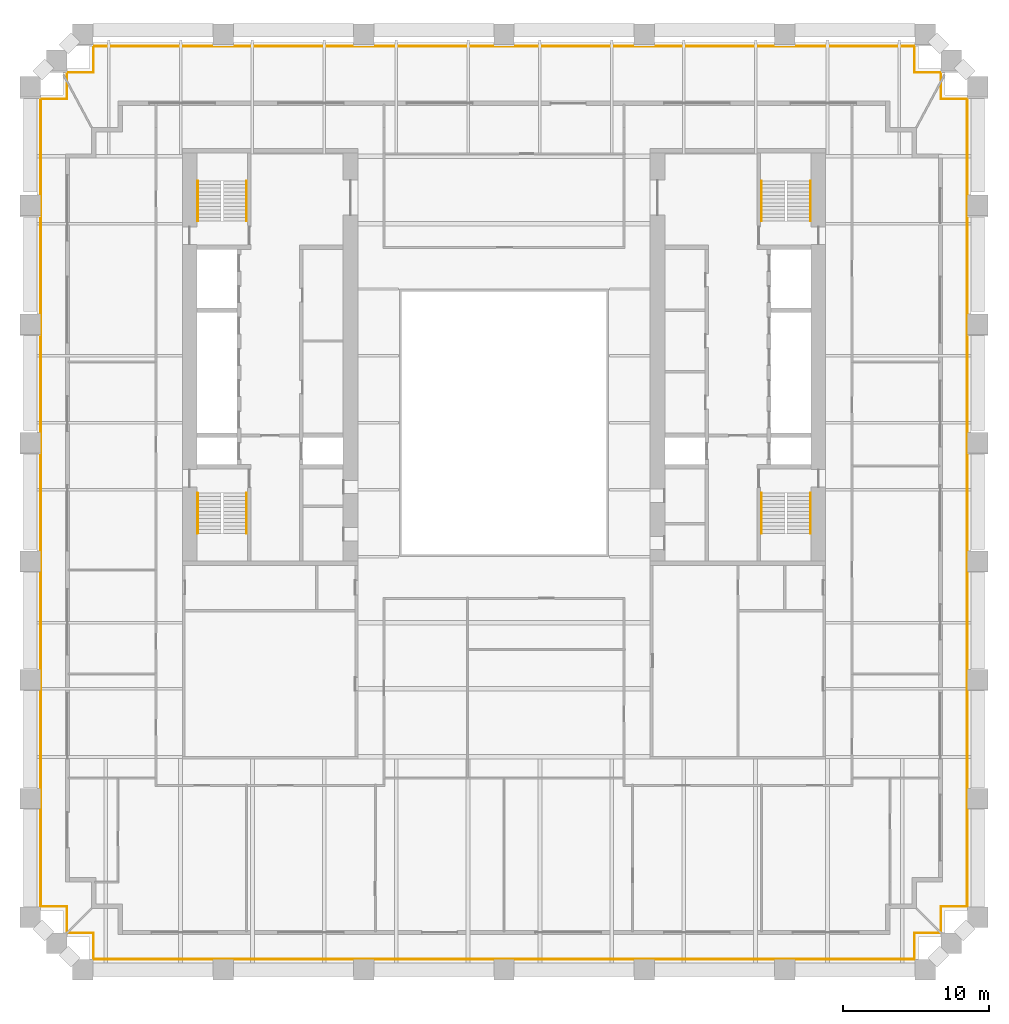
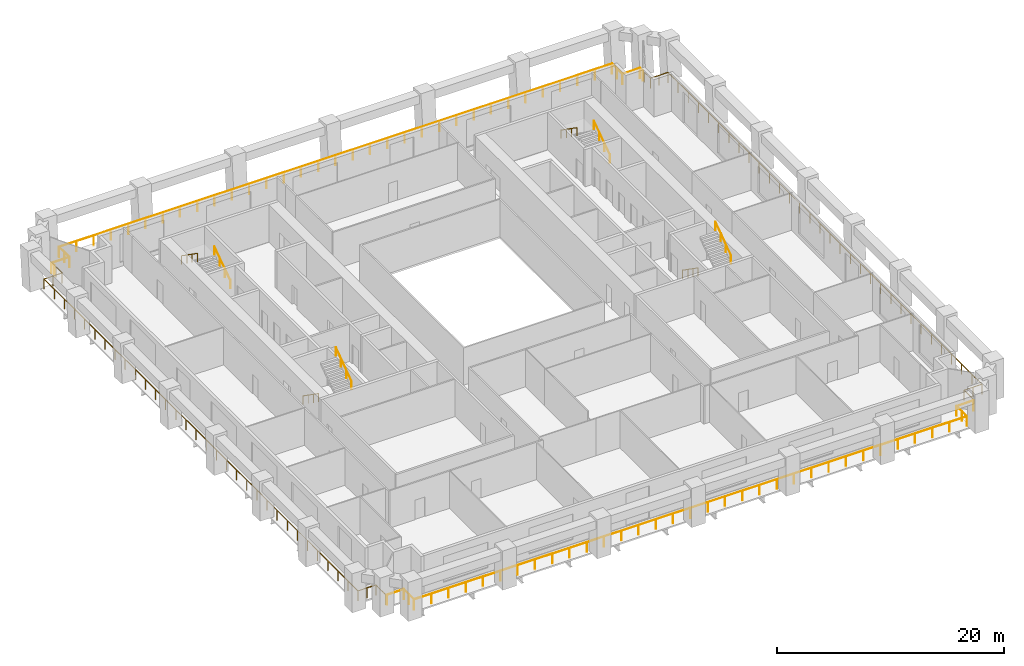
# One storey, part 9 of 9: 12 railings.
"""IFC4 building model written with IfcOpenShell, lengths in metres."""

from ifc_helpers import new_model, si_unit, direction, frame, origin, origin_2d, place, context, subcontext, project, spatial, circle, extrude, material, type_object, element, save


model = new_model("IFC4")

# Units and contexts
model_context = context("Model", 3, precision=1e-05, world=origin(), true_north=direction((0.0, 1.0)))
body_context = subcontext(model_context, "Body", "Model", "MODEL_VIEW")
ifc_project = project(units=[si_unit("LENGTHUNIT", "METRE"), si_unit("AREAUNIT", "SQUARE_METRE"), si_unit("VOLUMEUNIT", "CUBIC_METRE"), si_unit("PLANEANGLEUNIT", "RADIAN"), si_unit("MASSUNIT", "GRAM", prefix="KILO")], contexts=[model_context])

# Site, building, storey
site_placement = place(None, origin())
site = spatial("IfcSite", under=ifc_project, at=site_placement, CompositionType="ELEMENT")
building_placement = place(site_placement, origin())
building = spatial("IfcBuilding", under=site, at=building_placement, Name="Ogive Exchange Tower", CompositionType="ELEMENT")
storey_placement = place(building_placement, frame((0.0, 0.0, 56.39990234375)))
storey = spatial("IfcBuildingStorey", under=building, at=storey_placement, Name="L11", CompositionType="ELEMENT", Elevation=56.39990234375)

# Railings
ifc_material_1 = material(Name="Stainless steel 316", Category="steel")
railing_type_1 = type_object("IfcRailingType", Name="Guard 1100 stainless steel and glass", PredefinedType="GUARDRAIL", material=ifc_material_1)
railing_1_placement = place(storey_placement, frame((29.7880859375, -27.8798828125, -0.0498046875)))
element("IfcRailing", 1, at=railing_1_placement, inside=storey, type_object=railing_type_1, Name="Loggia guard 1", PredefinedType="GUARDRAIL", context=body_context, shape_type="SweptSolid", body=[
    extrude(circle(Radius=0.02392578125, at=origin_2d()), frame((0.0, 0.0, 1.076171875), z_axis=(-1.0, 0.0, 0.0), x_axis=(0.0, -1.0, 0.0)), (0.0, 0.0, 1.0), 1.7080078125),
    extrude(circle(Radius=0.02392578125, at=origin_2d()), frame((-1.7080078125, 0.0, 1.076171875), z_axis=(0.0, -1.0, 0.0), x_axis=(1.0, 0.0, 0.0)), (0.0, 0.0, 1.0), 1.800048828125),
    extrude(circle(Radius=0.02392578125, at=origin_2d()), frame((-1.7080078125, -1.800048828125, 1.076171875), z_axis=(-1.0, 0.0, 0.0), x_axis=(0.0, -1.0, 0.0)), (0.0, 0.0, 1.0), 56.16015625),
    extrude(circle(Radius=0.02392578125, at=origin_2d()), frame((-57.8681640625, -1.800048828125, 1.076171875), z_axis=(0.0, 1.0, 0.0), x_axis=(-1.0, 0.0, 0.0)), (0.0, 0.0, 1.0), 1.800048828125),
    extrude(circle(Radius=0.02392578125, at=origin_2d()), frame((-57.8681640625, 0.0, 1.076171875), z_axis=(-1.0, 0.0, 0.0), x_axis=(0.0, -1.0, 0.0)), (0.0, 0.0, 1.0), 1.7080078125),
    extrude(circle(Radius=0.02099609375, at=origin_2d()), origin(), (0.0, 0.0, 1.0), 1.052001953125),
    extrude(circle(Radius=0.02099609375, at=origin_2d()), frame((-1.7080078125, 0.0, 0.0)), (0.0, 0.0, 1.0), 1.052001953125),
    extrude(circle(Radius=0.02099609375, at=origin_2d()), frame((-1.7080078125, -0.89990234375, 0.0)), (0.0, 0.0, 1.0), 1.052001953125),
    extrude(circle(Radius=0.02099609375, at=origin_2d()), frame((-1.7080078125, -1.800048828125, 0.0)), (0.0, 0.0, 1.0), 1.052001953125),
    extrude(circle(Radius=0.02099609375, at=origin_2d()), frame((-3.462890625, -1.800048828125, 0.0)), (0.0, 0.0, 1.0), 1.052001953125),
    extrude(circle(Radius=0.02099609375, at=origin_2d()), frame((-5.218017578125, -1.800048828125, 0.0)), (0.0, 0.0, 1.0), 1.052001953125),
    extrude(circle(Radius=0.02099609375, at=origin_2d()), frame((-6.97314453125, -1.800048828125, 0.0)), (0.0, 0.0, 1.0), 1.052001953125),
    extrude(circle(Radius=0.02099609375, at=origin_2d()), frame((-8.72802734375, -1.800048828125, 0.0)), (0.0, 0.0, 1.0), 1.052001953125),
    extrude(circle(Radius=0.02099609375, at=origin_2d()), frame((-10.48291015625, -1.800048828125, 0.0)), (0.0, 0.0, 1.0), 1.052001953125),
    extrude(circle(Radius=0.02099609375, at=origin_2d()), frame((-12.238037109375, -1.800048828125, 0.0)), (0.0, 0.0, 1.0), 1.052001953125),
    extrude(circle(Radius=0.02099609375, at=origin_2d()), frame((-13.9931640625, -1.800048828125, 0.0)), (0.0, 0.0, 1.0), 1.052001953125),
    extrude(circle(Radius=0.02099609375, at=origin_2d()), frame((-15.748046875, -1.800048828125, 0.0)), (0.0, 0.0, 1.0), 1.052001953125),
    extrude(circle(Radius=0.02099609375, at=origin_2d()), frame((-17.5029296875, -1.800048828125, 0.0)), (0.0, 0.0, 1.0), 1.052001953125),
    extrude(circle(Radius=0.02099609375, at=origin_2d()), frame((-19.258056640625, -1.800048828125, 0.0)), (0.0, 0.0, 1.0), 1.052001953125),
    extrude(circle(Radius=0.02099609375, at=origin_2d()), frame((-21.01318359375, -1.800048828125, 0.0)), (0.0, 0.0, 1.0), 1.052001953125),
    extrude(circle(Radius=0.02099609375, at=origin_2d()), frame((-22.76806640625, -1.800048828125, 0.0)), (0.0, 0.0, 1.0), 1.052001953125),
    extrude(circle(Radius=0.02099609375, at=origin_2d()), frame((-24.52294921875, -1.800048828125, 0.0)), (0.0, 0.0, 1.0), 1.052001953125),
    extrude(circle(Radius=0.02099609375, at=origin_2d()), frame((-26.278076171875, -1.800048828125, 0.0)), (0.0, 0.0, 1.0), 1.052001953125),
    extrude(circle(Radius=0.02099609375, at=origin_2d()), frame((-28.033203125, -1.800048828125, 0.0)), (0.0, 0.0, 1.0), 1.052001953125),
    extrude(circle(Radius=0.02099609375, at=origin_2d()), frame((-29.7880859375, -1.800048828125, 0.0)), (0.0, 0.0, 1.0), 1.052001953125),
    extrude(circle(Radius=0.02099609375, at=origin_2d()), frame((-31.54296875, -1.800048828125, 0.0)), (0.0, 0.0, 1.0), 1.052001953125),
    extrude(circle(Radius=0.02099609375, at=origin_2d()), frame((-33.298095703125, -1.800048828125, 0.0)), (0.0, 0.0, 1.0), 1.052001953125),
    extrude(circle(Radius=0.02099609375, at=origin_2d()), frame((-35.05322265625, -1.800048828125, 0.0)), (0.0, 0.0, 1.0), 1.052001953125),
    extrude(circle(Radius=0.02099609375, at=origin_2d()), frame((-36.80810546875, -1.800048828125, 0.0)), (0.0, 0.0, 1.0), 1.052001953125),
    extrude(circle(Radius=0.02099609375, at=origin_2d()), frame((-38.56298828125, -1.800048828125, 0.0)), (0.0, 0.0, 1.0), 1.052001953125),
    extrude(circle(Radius=0.02099609375, at=origin_2d()), frame((-40.318115234375, -1.800048828125, 0.0)), (0.0, 0.0, 1.0), 1.052001953125),
    extrude(circle(Radius=0.02099609375, at=origin_2d()), frame((-42.0732421875, -1.800048828125, 0.0)), (0.0, 0.0, 1.0), 1.052001953125),
    extrude(circle(Radius=0.02099609375, at=origin_2d()), frame((-43.828125, -1.800048828125, 0.0)), (0.0, 0.0, 1.0), 1.052001953125),
    extrude(circle(Radius=0.02099609375, at=origin_2d()), frame((-45.5830078125, -1.800048828125, 0.0)), (0.0, 0.0, 1.0), 1.052001953125),
    extrude(circle(Radius=0.02099609375, at=origin_2d()), frame((-47.338134765625, -1.800048828125, 0.0)), (0.0, 0.0, 1.0), 1.052001953125),
    extrude(circle(Radius=0.02099609375, at=origin_2d()), frame((-49.09326171875, -1.800048828125, 0.0)), (0.0, 0.0, 1.0), 1.052001953125),
    extrude(circle(Radius=0.02099609375, at=origin_2d()), frame((-50.84814453125, -1.800048828125, 0.0)), (0.0, 0.0, 1.0), 1.052001953125),
    extrude(circle(Radius=0.02099609375, at=origin_2d()), frame((-52.60302734375, -1.800048828125, 0.0)), (0.0, 0.0, 1.0), 1.052001953125),
    extrude(circle(Radius=0.02099609375, at=origin_2d()), frame((-54.358154296875, -1.800048828125, 0.0)), (0.0, 0.0, 1.0), 1.052001953125),
    extrude(circle(Radius=0.02099609375, at=origin_2d()), frame((-56.11328125, -1.800048828125, 0.0)), (0.0, 0.0, 1.0), 1.052001953125),
    extrude(circle(Radius=0.02099609375, at=origin_2d()), frame((-57.8681640625, -1.800048828125, 0.0)), (0.0, 0.0, 1.0), 1.052001953125),
    extrude(circle(Radius=0.02099609375, at=origin_2d()), frame((-57.8681640625, -0.89990234375, 0.0)), (0.0, 0.0, 1.0), 1.052001953125),
    extrude(circle(Radius=0.02099609375, at=origin_2d()), frame((-57.8681640625, 0.0, 0.0)), (0.0, 0.0, 1.0), 1.052001953125),
    extrude(circle(Radius=0.02099609375, at=origin_2d()), frame((-59.576171875, 0.0, 0.0)), (0.0, 0.0, 1.0), 1.052001953125),
])
railing_2_placement = place(storey_placement, frame((-29.8798828125, -27.7880859375, -0.0498046875)))
element("IfcRailing", 2, at=railing_2_placement, inside=storey, type_object=railing_type_1, Name="Loggia guard 2", PredefinedType="GUARDRAIL", context=body_context, shape_type="SweptSolid", body=[
    extrude(circle(Radius=0.02392578125, at=origin_2d()), frame((0.0, 0.0, 1.076171875), z_axis=(0.0, 1.0, 0.0), x_axis=(-1.0, 0.0, 0.0)), (0.0, 0.0, 1.0), 1.7080078125),
    extrude(circle(Radius=0.02392578125, at=origin_2d()), frame((0.0, 1.7080078125, 1.076171875), z_axis=(-1.0, 0.0, 0.0), x_axis=(0.0, -1.0, 0.0)), (0.0, 0.0, 1.0), 1.800048828125),
    extrude(circle(Radius=0.02392578125, at=origin_2d()), frame((-1.800048828125, 1.7080078125, 1.076171875), z_axis=(0.0, 1.0, 0.0), x_axis=(-1.0, 0.0, 0.0)), (0.0, 0.0, 1.0), 55.232666015625),
    extrude(circle(Radius=0.02392578125, at=origin_2d()), frame((-1.800048828125, 56.940673828125, 1.076171875), z_axis=(1.0, 0.0, 0.0), x_axis=(0.0, 1.0, 0.0)), (0.0, 0.0, 1.0), 1.800048828125),
    extrude(circle(Radius=0.02392578125, at=origin_2d()), frame((0.0, 56.940673828125, 1.076171875), z_axis=(0.0, 1.0, 0.0), x_axis=(-1.0, 0.0, 0.0)), (0.0, 0.0, 1.0), 1.040771484375),
    extrude(circle(Radius=0.02099609375, at=origin_2d()), origin(), (0.0, 0.0, 1.0), 1.052001953125),
    extrude(circle(Radius=0.02099609375, at=origin_2d()), frame((0.0, 1.7080078125, 0.0)), (0.0, 0.0, 1.0), 1.052001953125),
    extrude(circle(Radius=0.02099609375, at=origin_2d()), frame((-0.89990234375, 1.7080078125, 0.0)), (0.0, 0.0, 1.0), 1.052001953125),
    extrude(circle(Radius=0.02099609375, at=origin_2d()), frame((-1.800048828125, 1.7080078125, 0.0)), (0.0, 0.0, 1.0), 1.052001953125),
    extrude(circle(Radius=0.02099609375, at=origin_2d()), frame((-1.800048828125, 3.48974609375, 0.0)), (0.0, 0.0, 1.0), 1.052001953125),
    extrude(circle(Radius=0.02099609375, at=origin_2d()), frame((-1.800048828125, 5.271484375, 0.0)), (0.0, 0.0, 1.0), 1.052001953125),
    extrude(circle(Radius=0.02099609375, at=origin_2d()), frame((-1.800048828125, 7.05322265625, 0.0)), (0.0, 0.0, 1.0), 1.052001953125),
    extrude(circle(Radius=0.02099609375, at=origin_2d()), frame((-1.800048828125, 8.834716796875, 0.0)), (0.0, 0.0, 1.0), 1.052001953125),
    extrude(circle(Radius=0.02099609375, at=origin_2d()), frame((-1.800048828125, 10.616455078125, 0.0)), (0.0, 0.0, 1.0), 1.052001953125),
    extrude(circle(Radius=0.02099609375, at=origin_2d()), frame((-1.800048828125, 12.398193359375, 0.0)), (0.0, 0.0, 1.0), 1.052001953125),
    extrude(circle(Radius=0.02099609375, at=origin_2d()), frame((-1.800048828125, 14.179931640625, 0.0)), (0.0, 0.0, 1.0), 1.052001953125),
    extrude(circle(Radius=0.02099609375, at=origin_2d()), frame((-1.800048828125, 15.961669921875, 0.0)), (0.0, 0.0, 1.0), 1.052001953125),
    extrude(circle(Radius=0.02099609375, at=origin_2d()), frame((-1.800048828125, 17.743408203125, 0.0)), (0.0, 0.0, 1.0), 1.052001953125),
    extrude(circle(Radius=0.02099609375, at=origin_2d()), frame((-1.800048828125, 19.52490234375, 0.0)), (0.0, 0.0, 1.0), 1.052001953125),
    extrude(circle(Radius=0.02099609375, at=origin_2d()), frame((-1.800048828125, 21.306640625, 0.0)), (0.0, 0.0, 1.0), 1.052001953125),
    extrude(circle(Radius=0.02099609375, at=origin_2d()), frame((-1.800048828125, 23.08837890625, 0.0)), (0.0, 0.0, 1.0), 1.052001953125),
    extrude(circle(Radius=0.02099609375, at=origin_2d()), frame((-1.800048828125, 24.8701171875, 0.0)), (0.0, 0.0, 1.0), 1.052001953125),
    extrude(circle(Radius=0.02099609375, at=origin_2d()), frame((-1.800048828125, 26.65185546875, 0.0)), (0.0, 0.0, 1.0), 1.052001953125),
    extrude(circle(Radius=0.02099609375, at=origin_2d()), frame((-1.800048828125, 28.43359375, 0.0)), (0.0, 0.0, 1.0), 1.052001953125),
    extrude(circle(Radius=0.02099609375, at=origin_2d()), frame((-1.800048828125, 30.215087890625, 0.0)), (0.0, 0.0, 1.0), 1.052001953125),
    extrude(circle(Radius=0.02099609375, at=origin_2d()), frame((-1.800048828125, 31.996826171875, 0.0)), (0.0, 0.0, 1.0), 1.052001953125),
    extrude(circle(Radius=0.02099609375, at=origin_2d()), frame((-1.800048828125, 33.778564453125, 0.0)), (0.0, 0.0, 1.0), 1.052001953125),
    extrude(circle(Radius=0.02099609375, at=origin_2d()), frame((-1.800048828125, 35.560302734375, 0.0)), (0.0, 0.0, 1.0), 1.052001953125),
    extrude(circle(Radius=0.02099609375, at=origin_2d()), frame((-1.800048828125, 37.342041015625, 0.0)), (0.0, 0.0, 1.0), 1.052001953125),
    extrude(circle(Radius=0.02099609375, at=origin_2d()), frame((-1.800048828125, 39.123779296875, 0.0)), (0.0, 0.0, 1.0), 1.052001953125),
    extrude(circle(Radius=0.02099609375, at=origin_2d()), frame((-1.800048828125, 40.9052734375, 0.0)), (0.0, 0.0, 1.0), 1.052001953125),
    extrude(circle(Radius=0.02099609375, at=origin_2d()), frame((-1.800048828125, 42.68701171875, 0.0)), (0.0, 0.0, 1.0), 1.052001953125),
    extrude(circle(Radius=0.02099609375, at=origin_2d()), frame((-1.800048828125, 44.46875, 0.0)), (0.0, 0.0, 1.0), 1.052001953125),
    extrude(circle(Radius=0.02099609375, at=origin_2d()), frame((-1.800048828125, 46.25048828125, 0.0)), (0.0, 0.0, 1.0), 1.052001953125),
    extrude(circle(Radius=0.02099609375, at=origin_2d()), frame((-1.800048828125, 48.0322265625, 0.0)), (0.0, 0.0, 1.0), 1.052001953125),
    extrude(circle(Radius=0.02099609375, at=origin_2d()), frame((-1.800048828125, 49.81396484375, 0.0)), (0.0, 0.0, 1.0), 1.052001953125),
    extrude(circle(Radius=0.02099609375, at=origin_2d()), frame((-1.800048828125, 51.595458984375, 0.0)), (0.0, 0.0, 1.0), 1.052001953125),
    extrude(circle(Radius=0.02099609375, at=origin_2d()), frame((-1.800048828125, 53.377197265625, 0.0)), (0.0, 0.0, 1.0), 1.052001953125),
    extrude(circle(Radius=0.02099609375, at=origin_2d()), frame((-1.800048828125, 55.158935546875, 0.0)), (0.0, 0.0, 1.0), 1.052001953125),
    extrude(circle(Radius=0.02099609375, at=origin_2d()), frame((-1.800048828125, 56.940673828125, 0.0)), (0.0, 0.0, 1.0), 1.052001953125),
    extrude(circle(Radius=0.02099609375, at=origin_2d()), frame((-0.89990234375, 56.940673828125, 0.0)), (0.0, 0.0, 1.0), 1.052001953125),
    extrude(circle(Radius=0.02099609375, at=origin_2d()), frame((0.0, 56.940673828125, 0.0)), (0.0, 0.0, 1.0), 1.052001953125),
    extrude(circle(Radius=0.02099609375, at=origin_2d()), frame((0.0, 57.9814453125, 0.0)), (0.0, 0.0, 1.0), 1.052001953125),
])
railing_3_placement = place(storey_placement, frame((-29.8798828125, 30.468505859375, -0.0498046875)))
element("IfcRailing", 3, at=railing_3_placement, inside=storey, type_object=railing_type_1, Name="Loggia guard 3", PredefinedType="GUARDRAIL", context=body_context, shape_type="SweptSolid", body=[
    extrude(circle(Radius=0.02392578125, at=origin_2d()), frame((0.0, 0.0, 1.076171875), z_axis=(0.0, 1.0, 0.0), x_axis=(-1.0, 0.0, 0.0)), (0.0, 0.0, 1.0), 0.484130859375),
    extrude(circle(Radius=0.02392578125, at=origin_2d()), frame((0.0, 0.484130859375, 1.076171875), z_axis=(1.0, 0.0, 0.0), x_axis=(0.0, 1.0, 0.0)), (0.0, 0.0, 1.0), 1.7998046875),
    extrude(circle(Radius=0.02392578125, at=origin_2d()), frame((1.7998046875, 0.484130859375, 1.076171875), z_axis=(0.0, 1.0, 0.0), x_axis=(-1.0, 0.0, 0.0)), (0.0, 0.0, 1.0), 1.800048828125),
    extrude(circle(Radius=0.02392578125, at=origin_2d()), frame((1.7998046875, 2.2841796875, 1.076171875), z_axis=(1.0, 0.0, 0.0), x_axis=(0.0, 1.0, 0.0)), (0.0, 0.0, 1.0), 56.16015625),
    extrude(circle(Radius=0.02392578125, at=origin_2d()), frame((57.9599609375, 2.2841796875, 1.076171875), z_axis=(0.0, -1.0, 0.0), x_axis=(1.0, 0.0, 0.0)), (0.0, 0.0, 1.0), 1.800048828125),
    extrude(circle(Radius=0.02392578125, at=origin_2d()), frame((57.9599609375, 0.484130859375, 1.076171875), z_axis=(1.0, 0.0, 0.0), x_axis=(0.0, 1.0, 0.0)), (0.0, 0.0, 1.0), 1.7998046875),
    extrude(circle(Radius=0.02392578125, at=origin_2d()), frame((59.759765625, 0.484130859375, 1.076171875), z_axis=(0.0, -1.0, 0.0), x_axis=(1.0, 0.0, 0.0)), (0.0, 0.0, 1.0), 0.484130859375),
    extrude(circle(Radius=0.02099609375, at=origin_2d()), origin(), (0.0, 0.0, 1.0), 1.052001953125),
    extrude(circle(Radius=0.02099609375, at=origin_2d()), frame((0.0, 0.484130859375, 0.0)), (0.0, 0.0, 1.0), 1.052001953125),
    extrude(circle(Radius=0.02099609375, at=origin_2d()), frame((1.7998046875, 0.484130859375, 0.0)), (0.0, 0.0, 1.0), 1.052001953125),
    extrude(circle(Radius=0.02099609375, at=origin_2d()), frame((1.7998046875, 1.38427734375, 0.0)), (0.0, 0.0, 1.0), 1.052001953125),
    extrude(circle(Radius=0.02099609375, at=origin_2d()), frame((1.7998046875, 2.2841796875, 0.0)), (0.0, 0.0, 1.0), 1.052001953125),
    extrude(circle(Radius=0.02099609375, at=origin_2d()), frame((3.5546875, 2.2841796875, 0.0)), (0.0, 0.0, 1.0), 1.052001953125),
    extrude(circle(Radius=0.02099609375, at=origin_2d()), frame((5.309814453125, 2.2841796875, 0.0)), (0.0, 0.0, 1.0), 1.052001953125),
    extrude(circle(Radius=0.02099609375, at=origin_2d()), frame((7.06494140625, 2.2841796875, 0.0)), (0.0, 0.0, 1.0), 1.052001953125),
    extrude(circle(Radius=0.02099609375, at=origin_2d()), frame((8.81982421875, 2.2841796875, 0.0)), (0.0, 0.0, 1.0), 1.052001953125),
    extrude(circle(Radius=0.02099609375, at=origin_2d()), frame((10.57470703125, 2.2841796875, 0.0)), (0.0, 0.0, 1.0), 1.052001953125),
    extrude(circle(Radius=0.02099609375, at=origin_2d()), frame((12.329833984375, 2.2841796875, 0.0)), (0.0, 0.0, 1.0), 1.052001953125),
    extrude(circle(Radius=0.02099609375, at=origin_2d()), frame((14.0849609375, 2.2841796875, 0.0)), (0.0, 0.0, 1.0), 1.052001953125),
    extrude(circle(Radius=0.02099609375, at=origin_2d()), frame((15.83984375, 2.2841796875, 0.0)), (0.0, 0.0, 1.0), 1.052001953125),
    extrude(circle(Radius=0.02099609375, at=origin_2d()), frame((17.5947265625, 2.2841796875, 0.0)), (0.0, 0.0, 1.0), 1.052001953125),
    extrude(circle(Radius=0.02099609375, at=origin_2d()), frame((19.349853515625, 2.2841796875, 0.0)), (0.0, 0.0, 1.0), 1.052001953125),
    extrude(circle(Radius=0.02099609375, at=origin_2d()), frame((21.10498046875, 2.2841796875, 0.0)), (0.0, 0.0, 1.0), 1.052001953125),
    extrude(circle(Radius=0.02099609375, at=origin_2d()), frame((22.85986328125, 2.2841796875, 0.0)), (0.0, 0.0, 1.0), 1.052001953125),
    extrude(circle(Radius=0.02099609375, at=origin_2d()), frame((24.61474609375, 2.2841796875, 0.0)), (0.0, 0.0, 1.0), 1.052001953125),
    extrude(circle(Radius=0.02099609375, at=origin_2d()), frame((26.369873046875, 2.2841796875, 0.0)), (0.0, 0.0, 1.0), 1.052001953125),
    extrude(circle(Radius=0.02099609375, at=origin_2d()), frame((28.125, 2.2841796875, 0.0)), (0.0, 0.0, 1.0), 1.052001953125),
    extrude(circle(Radius=0.02099609375, at=origin_2d()), frame((29.8798828125, 2.2841796875, 0.0)), (0.0, 0.0, 1.0), 1.052001953125),
    extrude(circle(Radius=0.02099609375, at=origin_2d()), frame((31.634765625, 2.2841796875, 0.0)), (0.0, 0.0, 1.0), 1.052001953125),
    extrude(circle(Radius=0.02099609375, at=origin_2d()), frame((33.389892578125, 2.2841796875, 0.0)), (0.0, 0.0, 1.0), 1.052001953125),
    extrude(circle(Radius=0.02099609375, at=origin_2d()), frame((35.14501953125, 2.2841796875, 0.0)), (0.0, 0.0, 1.0), 1.052001953125),
    extrude(circle(Radius=0.02099609375, at=origin_2d()), frame((36.89990234375, 2.2841796875, 0.0)), (0.0, 0.0, 1.0), 1.052001953125),
    extrude(circle(Radius=0.02099609375, at=origin_2d()), frame((38.65478515625, 2.2841796875, 0.0)), (0.0, 0.0, 1.0), 1.052001953125),
    extrude(circle(Radius=0.02099609375, at=origin_2d()), frame((40.409912109375, 2.2841796875, 0.0)), (0.0, 0.0, 1.0), 1.052001953125),
    extrude(circle(Radius=0.02099609375, at=origin_2d()), frame((42.1650390625, 2.2841796875, 0.0)), (0.0, 0.0, 1.0), 1.052001953125),
    extrude(circle(Radius=0.02099609375, at=origin_2d()), frame((43.919921875, 2.2841796875, 0.0)), (0.0, 0.0, 1.0), 1.052001953125),
    extrude(circle(Radius=0.02099609375, at=origin_2d()), frame((45.6748046875, 2.2841796875, 0.0)), (0.0, 0.0, 1.0), 1.052001953125),
    extrude(circle(Radius=0.02099609375, at=origin_2d()), frame((47.429931640625, 2.2841796875, 0.0)), (0.0, 0.0, 1.0), 1.052001953125),
    extrude(circle(Radius=0.02099609375, at=origin_2d()), frame((49.18505859375, 2.2841796875, 0.0)), (0.0, 0.0, 1.0), 1.052001953125),
    extrude(circle(Radius=0.02099609375, at=origin_2d()), frame((50.93994140625, 2.2841796875, 0.0)), (0.0, 0.0, 1.0), 1.052001953125),
    extrude(circle(Radius=0.02099609375, at=origin_2d()), frame((52.69482421875, 2.2841796875, 0.0)), (0.0, 0.0, 1.0), 1.052001953125),
    extrude(circle(Radius=0.02099609375, at=origin_2d()), frame((54.449951171875, 2.2841796875, 0.0)), (0.0, 0.0, 1.0), 1.052001953125),
    extrude(circle(Radius=0.02099609375, at=origin_2d()), frame((56.205078125, 2.2841796875, 0.0)), (0.0, 0.0, 1.0), 1.052001953125),
    extrude(circle(Radius=0.02099609375, at=origin_2d()), frame((57.9599609375, 2.2841796875, 0.0)), (0.0, 0.0, 1.0), 1.052001953125),
    extrude(circle(Radius=0.02099609375, at=origin_2d()), frame((57.9599609375, 1.38427734375, 0.0)), (0.0, 0.0, 1.0), 1.052001953125),
    extrude(circle(Radius=0.02099609375, at=origin_2d()), frame((57.9599609375, 0.484130859375, 0.0)), (0.0, 0.0, 1.0), 1.052001953125),
    extrude(circle(Radius=0.02099609375, at=origin_2d()), frame((59.759765625, 0.484130859375, 0.0)), (0.0, 0.0, 1.0), 1.052001953125),
    extrude(circle(Radius=0.02099609375, at=origin_2d()), frame((59.759765625, 0.0, 0.0)), (0.0, 0.0, 1.0), 1.052001953125),
])
railing_4_placement = place(storey_placement, frame((29.8798828125, 30.193359375, -0.0498046875)))
element("IfcRailing", 4, at=railing_4_placement, inside=storey, type_object=railing_type_1, Name="Loggia guard 4", PredefinedType="GUARDRAIL", context=body_context, shape_type="SweptSolid", body=[
    extrude(circle(Radius=0.02392578125, at=origin_2d()), frame((0.0, 0.0, 1.076171875), z_axis=(0.0, -1.0, 0.0), x_axis=(1.0, 0.0, 0.0)), (0.0, 0.0, 1.0), 1.040771484375),
    extrude(circle(Radius=0.02392578125, at=origin_2d()), frame((0.0, -1.040771484375, 1.076171875), z_axis=(1.0, 0.0, 0.0), x_axis=(0.0, 1.0, 0.0)), (0.0, 0.0, 1.0), 1.800048828125),
    extrude(circle(Radius=0.02392578125, at=origin_2d()), frame((1.800048828125, -1.040771484375, 1.076171875), z_axis=(0.0, -1.0, 0.0), x_axis=(1.0, 0.0, 0.0)), (0.0, 0.0, 1.0), 55.232666015625),
    extrude(circle(Radius=0.02392578125, at=origin_2d()), frame((1.800048828125, -56.2734375, 1.076171875), z_axis=(-1.0, 0.0, 0.0), x_axis=(0.0, -1.0, 0.0)), (0.0, 0.0, 1.0), 1.800048828125),
    extrude(circle(Radius=0.02392578125, at=origin_2d()), frame((0.0, -56.2734375, 1.076171875), z_axis=(0.0, -1.0, 0.0), x_axis=(1.0, 0.0, 0.0)), (0.0, 0.0, 1.0), 1.7080078125),
    extrude(circle(Radius=0.02099609375, at=origin_2d()), origin(), (0.0, 0.0, 1.0), 1.052001953125),
    extrude(circle(Radius=0.02099609375, at=origin_2d()), frame((0.0, -1.040771484375, 0.0)), (0.0, 0.0, 1.0), 1.052001953125),
    extrude(circle(Radius=0.02099609375, at=origin_2d()), frame((0.89990234375, -1.040771484375, 0.0)), (0.0, 0.0, 1.0), 1.052001953125),
    extrude(circle(Radius=0.02099609375, at=origin_2d()), frame((1.800048828125, -1.040771484375, 0.0)), (0.0, 0.0, 1.0), 1.052001953125),
    extrude(circle(Radius=0.02099609375, at=origin_2d()), frame((1.800048828125, -2.822509765625, 0.0)), (0.0, 0.0, 1.0), 1.052001953125),
    extrude(circle(Radius=0.02099609375, at=origin_2d()), frame((1.800048828125, -4.604248046875, 0.0)), (0.0, 0.0, 1.0), 1.052001953125),
    extrude(circle(Radius=0.02099609375, at=origin_2d()), frame((1.800048828125, -6.385986328125, 0.0)), (0.0, 0.0, 1.0), 1.052001953125),
    extrude(circle(Radius=0.02099609375, at=origin_2d()), frame((1.800048828125, -8.16748046875, 0.0)), (0.0, 0.0, 1.0), 1.052001953125),
    extrude(circle(Radius=0.02099609375, at=origin_2d()), frame((1.800048828125, -9.94921875, 0.0)), (0.0, 0.0, 1.0), 1.052001953125),
    extrude(circle(Radius=0.02099609375, at=origin_2d()), frame((1.800048828125, -11.73095703125, 0.0)), (0.0, 0.0, 1.0), 1.052001953125),
    extrude(circle(Radius=0.02099609375, at=origin_2d()), frame((1.800048828125, -13.5126953125, 0.0)), (0.0, 0.0, 1.0), 1.052001953125),
    extrude(circle(Radius=0.02099609375, at=origin_2d()), frame((1.800048828125, -15.29443359375, 0.0)), (0.0, 0.0, 1.0), 1.052001953125),
    extrude(circle(Radius=0.02099609375, at=origin_2d()), frame((1.800048828125, -17.076171875, 0.0)), (0.0, 0.0, 1.0), 1.052001953125),
    extrude(circle(Radius=0.02099609375, at=origin_2d()), frame((1.800048828125, -18.857666015625, 0.0)), (0.0, 0.0, 1.0), 1.052001953125),
    extrude(circle(Radius=0.02099609375, at=origin_2d()), frame((1.800048828125, -20.639404296875, 0.0)), (0.0, 0.0, 1.0), 1.052001953125),
    extrude(circle(Radius=0.02099609375, at=origin_2d()), frame((1.800048828125, -22.421142578125, 0.0)), (0.0, 0.0, 1.0), 1.052001953125),
    extrude(circle(Radius=0.02099609375, at=origin_2d()), frame((1.800048828125, -24.202880859375, 0.0)), (0.0, 0.0, 1.0), 1.052001953125),
    extrude(circle(Radius=0.02099609375, at=origin_2d()), frame((1.800048828125, -25.984619140625, 0.0)), (0.0, 0.0, 1.0), 1.052001953125),
    extrude(circle(Radius=0.02099609375, at=origin_2d()), frame((1.800048828125, -27.766357421875, 0.0)), (0.0, 0.0, 1.0), 1.052001953125),
    extrude(circle(Radius=0.02099609375, at=origin_2d()), frame((1.800048828125, -29.5478515625, 0.0)), (0.0, 0.0, 1.0), 1.052001953125),
    extrude(circle(Radius=0.02099609375, at=origin_2d()), frame((1.800048828125, -31.32958984375, 0.0)), (0.0, 0.0, 1.0), 1.052001953125),
    extrude(circle(Radius=0.02099609375, at=origin_2d()), frame((1.800048828125, -33.111328125, 0.0)), (0.0, 0.0, 1.0), 1.052001953125),
    extrude(circle(Radius=0.02099609375, at=origin_2d()), frame((1.800048828125, -34.89306640625, 0.0)), (0.0, 0.0, 1.0), 1.052001953125),
    extrude(circle(Radius=0.02099609375, at=origin_2d()), frame((1.800048828125, -36.6748046875, 0.0)), (0.0, 0.0, 1.0), 1.052001953125),
    extrude(circle(Radius=0.02099609375, at=origin_2d()), frame((1.800048828125, -38.45654296875, 0.0)), (0.0, 0.0, 1.0), 1.052001953125),
    extrude(circle(Radius=0.02099609375, at=origin_2d()), frame((1.800048828125, -40.238037109375, 0.0)), (0.0, 0.0, 1.0), 1.052001953125),
    extrude(circle(Radius=0.02099609375, at=origin_2d()), frame((1.800048828125, -42.019775390625, 0.0)), (0.0, 0.0, 1.0), 1.052001953125),
    extrude(circle(Radius=0.02099609375, at=origin_2d()), frame((1.800048828125, -43.801513671875, 0.0)), (0.0, 0.0, 1.0), 1.052001953125),
    extrude(circle(Radius=0.02099609375, at=origin_2d()), frame((1.800048828125, -45.583251953125, 0.0)), (0.0, 0.0, 1.0), 1.052001953125),
    extrude(circle(Radius=0.02099609375, at=origin_2d()), frame((1.800048828125, -47.364990234375, 0.0)), (0.0, 0.0, 1.0), 1.052001953125),
    extrude(circle(Radius=0.02099609375, at=origin_2d()), frame((1.800048828125, -49.146728515625, 0.0)), (0.0, 0.0, 1.0), 1.052001953125),
    extrude(circle(Radius=0.02099609375, at=origin_2d()), frame((1.800048828125, -50.92822265625, 0.0)), (0.0, 0.0, 1.0), 1.052001953125),
    extrude(circle(Radius=0.02099609375, at=origin_2d()), frame((1.800048828125, -52.7099609375, 0.0)), (0.0, 0.0, 1.0), 1.052001953125),
    extrude(circle(Radius=0.02099609375, at=origin_2d()), frame((1.800048828125, -54.49169921875, 0.0)), (0.0, 0.0, 1.0), 1.052001953125),
    extrude(circle(Radius=0.02099609375, at=origin_2d()), frame((1.800048828125, -56.2734375, 0.0)), (0.0, 0.0, 1.0), 1.052001953125),
    extrude(circle(Radius=0.02099609375, at=origin_2d()), frame((0.89990234375, -56.2734375, 0.0)), (0.0, 0.0, 1.0), 1.052001953125),
    extrude(circle(Radius=0.02099609375, at=origin_2d()), frame((0.0, -56.2734375, 0.0)), (0.0, 0.0, 1.0), 1.052001953125),
    extrude(circle(Radius=0.02099609375, at=origin_2d()), frame((0.0, -57.9814453125, 0.0)), (0.0, 0.0, 1.0), 1.052001953125),
])
ifc_material_2 = material(Name="Stainless steel", Category="steel")
railing_type_2 = type_object("IfcRailingType", Name="Stair handrail 900", PredefinedType="HANDRAIL", material=ifc_material_2)
railing_5_placement = place(storey_placement, frame((-20.949951171875, 2.199951171875, 0.175048828125)))
element("IfcRailing", 5, at=railing_5_placement, inside=storey, type_object=railing_type_2, Name="L11 ST1 stair handrail 1", PredefinedType="HANDRAIL", context=body_context, shape_type="SweptSolid", body=[
    extrude(circle(Radius=0.02392578125, at=origin_2d()), frame((0.0, 0.0, 0.8759765625), z_axis=(0.0, -0.819225086817, 0.573472106672), x_axis=(1.0, 0.0, 0.0)), (0.0, 0.0, 1.0), 3.35693359375),
    extrude(circle(Radius=0.02099609375, at=origin_2d()), origin(), (0.0, 0.0, 1.0), 0.851806640625),
    extrude(circle(Radius=0.02099609375, at=origin_2d()), frame((0.0, -0.916748046875, 0.6416015625)), (0.0, 0.0, 1.0), 0.851806640625),
    extrude(circle(Radius=0.02099609375, at=origin_2d()), frame((0.0, -1.833251953125, 1.283447265625)), (0.0, 0.0, 1.0), 0.851806640625),
    extrude(circle(Radius=0.02099609375, at=origin_2d()), frame((0.0, -2.75, 1.925048828125)), (0.0, 0.0, 1.0), 0.851806640625),
])
for number, where, name in (
    (6, (-17.60009765625, -0.550048828125, 2.275146484375), "L11 ST1 stair handrail 2"),
    (7, (-17.60009765625, 20.800048828125, 0.175048828125), "L11 ST2 stair handrail 1"),
):
    element("IfcRailing", number, at=place(storey_placement, frame(where)), inside=storey, type_object=railing_type_2, Name=name, PredefinedType="HANDRAIL", context=body_context, shape_type="SweptSolid", body=[
        extrude(circle(Radius=0.02392578125, at=origin_2d()), frame((0.0, 0.0, 0.8759765625), z_axis=(0.0, 0.819225086817, 0.573472106672), x_axis=(-1.0, 0.0, 0.0)), (0.0, 0.0, 1.0), 3.35693359375),
        extrude(circle(Radius=0.02099609375, at=origin_2d()), origin(), (0.0, 0.0, 1.0), 0.851806640625),
        extrude(circle(Radius=0.02099609375, at=origin_2d()), frame((0.0, 0.916748046875, 0.6416015625)), (0.0, 0.0, 1.0), 0.851806640625),
        extrude(circle(Radius=0.02099609375, at=origin_2d()), frame((0.0, 1.833251953125, 1.283447265625)), (0.0, 0.0, 1.0), 0.851806640625),
        extrude(circle(Radius=0.02099609375, at=origin_2d()), frame((0.0, 2.75, 1.925048828125)), (0.0, 0.0, 1.0), 0.851806640625),
    ])
for number, where, name in (
    (8, (-20.949951171875, 23.550048828125, 2.275146484375), "L11 ST2 stair handrail 2"),
    (9, (17.60009765625, 2.199951171875, 0.175048828125), "L11 ST3 stair handrail 1"),
):
    element("IfcRailing", number, at=place(storey_placement, frame(where)), inside=storey, type_object=railing_type_2, Name=name, PredefinedType="HANDRAIL", context=body_context, shape_type="SweptSolid", body=[
        extrude(circle(Radius=0.02392578125, at=origin_2d()), frame((0.0, 0.0, 0.8759765625), z_axis=(0.0, -0.819225086817, 0.573472106672), x_axis=(1.0, 0.0, 0.0)), (0.0, 0.0, 1.0), 3.35693359375),
        extrude(circle(Radius=0.02099609375, at=origin_2d()), origin(), (0.0, 0.0, 1.0), 0.851806640625),
        extrude(circle(Radius=0.02099609375, at=origin_2d()), frame((0.0, -0.916748046875, 0.6416015625)), (0.0, 0.0, 1.0), 0.851806640625),
        extrude(circle(Radius=0.02099609375, at=origin_2d()), frame((0.0, -1.833251953125, 1.283447265625)), (0.0, 0.0, 1.0), 0.851806640625),
        extrude(circle(Radius=0.02099609375, at=origin_2d()), frame((0.0, -2.75, 1.925048828125)), (0.0, 0.0, 1.0), 0.851806640625),
    ])
for number, where, name in (
    (10, (20.949951171875, -0.550048828125, 2.275146484375), "L11 ST3 stair handrail 2"),
    (11, (20.949951171875, 20.800048828125, 0.175048828125), "L11 ST4 stair handrail 1"),
):
    element("IfcRailing", number, at=place(storey_placement, frame(where)), inside=storey, type_object=railing_type_2, Name=name, PredefinedType="HANDRAIL", context=body_context, shape_type="SweptSolid", body=[
        extrude(circle(Radius=0.02392578125, at=origin_2d()), frame((0.0, 0.0, 0.8759765625), z_axis=(0.0, 0.819225086817, 0.573472106672), x_axis=(-1.0, 0.0, 0.0)), (0.0, 0.0, 1.0), 3.35693359375),
        extrude(circle(Radius=0.02099609375, at=origin_2d()), origin(), (0.0, 0.0, 1.0), 0.851806640625),
        extrude(circle(Radius=0.02099609375, at=origin_2d()), frame((0.0, 0.916748046875, 0.6416015625)), (0.0, 0.0, 1.0), 0.851806640625),
        extrude(circle(Radius=0.02099609375, at=origin_2d()), frame((0.0, 1.833251953125, 1.283447265625)), (0.0, 0.0, 1.0), 0.851806640625),
        extrude(circle(Radius=0.02099609375, at=origin_2d()), frame((0.0, 2.75, 1.925048828125)), (0.0, 0.0, 1.0), 0.851806640625),
    ])
railing_6_placement = place(storey_placement, frame((17.60009765625, 23.550048828125, 2.275146484375)))
element("IfcRailing", 12, at=railing_6_placement, inside=storey, type_object=railing_type_2, Name="L11 ST4 stair handrail 2", PredefinedType="HANDRAIL", context=body_context, shape_type="SweptSolid", body=[
    extrude(circle(Radius=0.02392578125, at=origin_2d()), frame((0.0, 0.0, 0.8759765625), z_axis=(0.0, -0.819225086817, 0.573472106672), x_axis=(1.0, 0.0, 0.0)), (0.0, 0.0, 1.0), 3.35693359375),
    extrude(circle(Radius=0.02099609375, at=origin_2d()), origin(), (0.0, 0.0, 1.0), 0.851806640625),
    extrude(circle(Radius=0.02099609375, at=origin_2d()), frame((0.0, -0.916748046875, 0.6416015625)), (0.0, 0.0, 1.0), 0.851806640625),
    extrude(circle(Radius=0.02099609375, at=origin_2d()), frame((0.0, -1.833251953125, 1.283447265625)), (0.0, 0.0, 1.0), 0.851806640625),
    extrude(circle(Radius=0.02099609375, at=origin_2d()), frame((0.0, -2.75, 1.925048828125)), (0.0, 0.0, 1.0), 0.851806640625),
])

save(model, "model.ifc")
